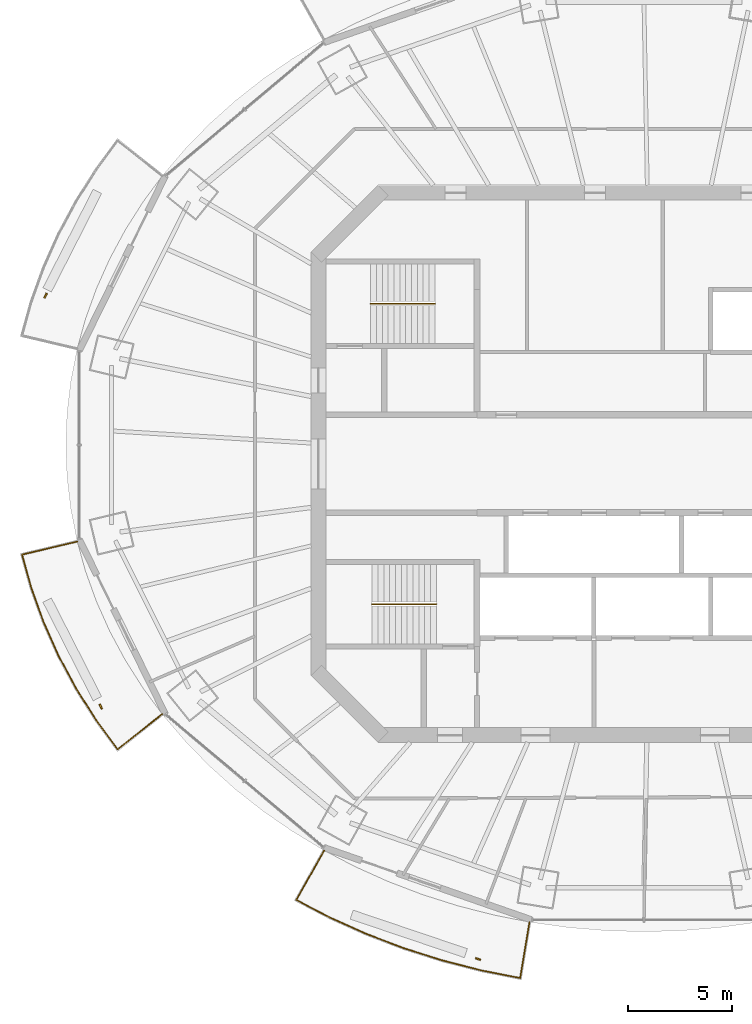
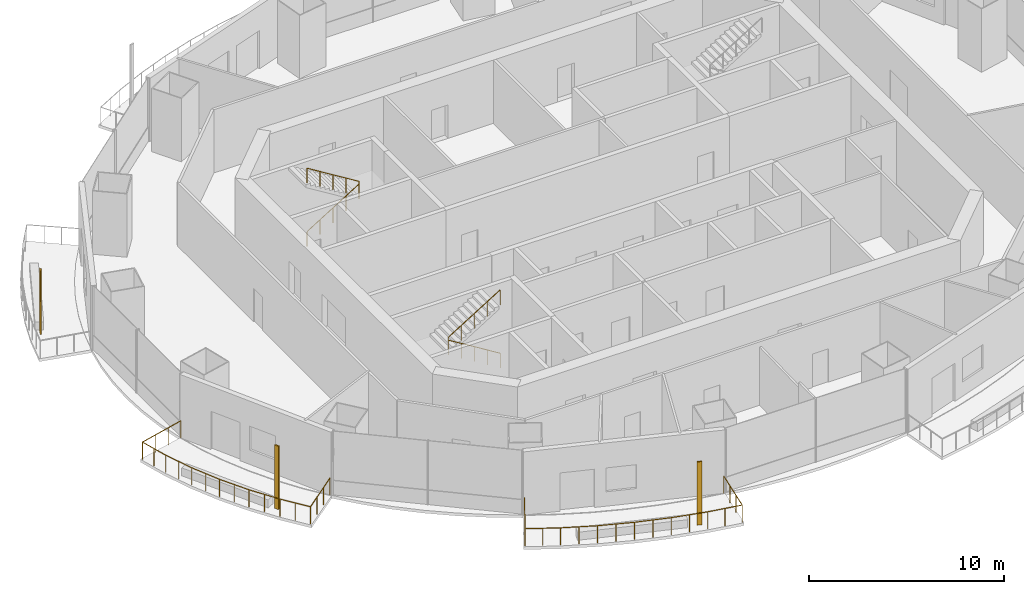
# One storey, part 12 of 16: 4 railings, 3 shading devices.
"""IFC4 building model written with IfcOpenShell, lengths in metres."""

from ifc_helpers import new_model, si_unit, direction, frame, origin, origin_2d, place, context, subcontext, project, spatial, rectangle, circle, extrude, material, material_profile, profile_set, type_object, element, save


model = new_model("IFC4")

# Units and contexts
model_context = context("Model", 3, precision=1e-05, world=origin(), true_north=direction((0.0, 1.0)))
body_context = subcontext(model_context, "Body", "Model", "MODEL_VIEW")
ifc_project = project(units=[si_unit("LENGTHUNIT", "METRE"), si_unit("AREAUNIT", "SQUARE_METRE"), si_unit("VOLUMEUNIT", "CUBIC_METRE"), si_unit("PLANEANGLEUNIT", "RADIAN"), si_unit("MASSUNIT", "GRAM", prefix="KILO")], contexts=[model_context])

# Site, building, storey
site_placement = place(None, origin())
site = spatial("IfcSite", under=ifc_project, at=site_placement, CompositionType="ELEMENT")
building_placement = place(site_placement, origin())
building = spatial("IfcBuilding", under=site, at=building_placement, Name="Marenthal Gate Tower", CompositionType="ELEMENT")
storey_placement = place(building_placement, frame((0.0, 0.0, 326.0)))
storey = spatial("IfcBuildingStorey", under=building, at=storey_placement, Name="L73", CompositionType="ELEMENT", Elevation=326.0)

# Railings
ifc_material_1 = material(Name="Stainless steel", Category="steel")
railing_type_1 = type_object("IfcRailingType", Name="Balcony guard 1100", PredefinedType="GUARDRAIL", material=ifc_material_1)
railing_1_placement = place(storey_placement, frame((-23.491455078125, -11.9970703125, 0.0)))
element("IfcRailing", 1, at=railing_1_placement, inside=storey, type_object=railing_type_1, Name="Balcony guard L73 bay 9", PredefinedType="GUARDRAIL", context=body_context, shape_type="SweptSolid", body=[
    extrude(circle(Radius=0.02392578125, at=origin_2d()), frame((0.0, 0.0, 1.076171875), z_axis=(-0.783447468662, -0.621283714267, -0.014717684406), x_axis=(0.621351013405, -0.783532333819, 0.0)), (0.0, 0.0, 1.0), 2.720458984375),
    extrude(circle(Radius=0.02392578125, at=origin_2d()), frame((-2.13134765625, -1.690185546875, 1.0361328125), z_axis=(-0.592690943458, 0.805429975568, 0.0), x_axis=(-0.805429975568, -0.592690943458, 0.0)), (0.0, 0.0, 1.0), 1.721435546875),
    extrude(circle(Radius=0.02392578125, at=origin_2d()), frame((-3.151611328125, -0.3037109375, 1.0361328125), z_axis=(-0.536035938593, 0.844195162588, 0.0), x_axis=(-0.844195162588, -0.536035938593, 0.0)), (0.0, 0.0, 1.0), 1.7880859375),
    extrude(circle(Radius=0.02392578125, at=origin_2d()), frame((-4.110107421875, 1.205810546875, 1.0361328125), z_axis=(-0.473944120716, 0.880554921875, 0.0), x_axis=(-0.880554921875, -0.473944120716, 0.0)), (0.0, 0.0, 1.0), 1.776611328125),
    extrude(circle(Radius=0.02392578125, at=origin_2d()), frame((-4.9521484375, 2.770263671875, 1.0361328125), z_axis=(-0.408087166089, 0.912942969124, 0.0), x_axis=(-0.912942969124, -0.408087166089, 0.0)), (0.0, 0.0, 1.0), 1.76611328125),
    extrude(circle(Radius=0.02392578125, at=origin_2d()), frame((-5.6728515625, 4.382568359375, 1.0361328125), z_axis=(-0.338940900894, 0.940807666689, 0.0), x_axis=(-0.940807666689, -0.338940900894, 0.0)), (0.0, 0.0, 1.0), 1.7568359375),
    extrude(circle(Radius=0.02392578125, at=origin_2d()), frame((-6.268310546875, 6.035400390625, 1.0361328125), z_axis=(-0.268631744924, 0.96324295254, 0.0), x_axis=(-0.96324295254, -0.268631744924, 0.0)), (0.0, 0.0, 1.0), 1.66943359375),
    extrude(circle(Radius=0.02392578125, at=origin_2d()), frame((-6.716796875, 7.6435546875, 1.0361328125), z_axis=(0.97315730439, 0.229669790827, 0.014718970573), x_axis=(-0.229694673631, 0.973262737859, 0.0)), (0.0, 0.0, 1.0), 2.72021484375),
    extrude(circle(Radius=0.02099609375, at=origin_2d()), origin(), (0.0, 0.0, 1.0), 1.052001953125),
    extrude(circle(Radius=0.02099609375, at=origin_2d()), frame((-0.71044921875, -0.5634765625, -0.013427734375)), (0.0, 0.0, 1.0), 1.052001953125),
    extrude(circle(Radius=0.02099609375, at=origin_2d()), frame((-1.4208984375, -1.126708984375, -0.026611328125)), (0.0, 0.0, 1.0), 1.052001953125),
    extrude(circle(Radius=0.02099609375, at=origin_2d()), frame((-2.13134765625, -1.690185546875, -0.0400390625)), (0.0, 0.0, 1.0), 1.052001953125),
    extrude(circle(Radius=0.02099609375, at=origin_2d()), frame((-2.6416015625, -0.9970703125, -0.0400390625)), (0.0, 0.0, 1.0), 1.052001953125),
    extrude(circle(Radius=0.02099609375, at=origin_2d()), frame((-3.151611328125, -0.3037109375, -0.0400390625)), (0.0, 0.0, 1.0), 1.052001953125),
    extrude(circle(Radius=0.02099609375, at=origin_2d()), frame((-3.630859375, 0.451171875, -0.0400390625)), (0.0, 0.0, 1.0), 1.052001953125),
    extrude(circle(Radius=0.02099609375, at=origin_2d()), frame((-4.110107421875, 1.205810546875, -0.0400390625)), (0.0, 0.0, 1.0), 1.052001953125),
    extrude(circle(Radius=0.02099609375, at=origin_2d()), frame((-4.53125, 1.988037109375, -0.0400390625)), (0.0, 0.0, 1.0), 1.052001953125),
    extrude(circle(Radius=0.02099609375, at=origin_2d()), frame((-4.9521484375, 2.770263671875, -0.0400390625)), (0.0, 0.0, 1.0), 1.052001953125),
    extrude(circle(Radius=0.02099609375, at=origin_2d()), frame((-5.3125, 3.576416015625, -0.0400390625)), (0.0, 0.0, 1.0), 1.052001953125),
    extrude(circle(Radius=0.02099609375, at=origin_2d()), frame((-5.6728515625, 4.382568359375, -0.0400390625)), (0.0, 0.0, 1.0), 1.052001953125),
    extrude(circle(Radius=0.02099609375, at=origin_2d()), frame((-5.970703125, 5.208984375, -0.0400390625)), (0.0, 0.0, 1.0), 1.052001953125),
    extrude(circle(Radius=0.02099609375, at=origin_2d()), frame((-6.268310546875, 6.035400390625, -0.0400390625)), (0.0, 0.0, 1.0), 1.052001953125),
    extrude(circle(Radius=0.02099609375, at=origin_2d()), frame((-6.49267578125, 6.83935546875, -0.0400390625)), (0.0, 0.0, 1.0), 1.052001953125),
    extrude(circle(Radius=0.02099609375, at=origin_2d()), frame((-6.716796875, 7.6435546875, -0.0400390625)), (0.0, 0.0, 1.0), 1.052001953125),
    extrude(circle(Radius=0.02099609375, at=origin_2d()), frame((-5.83447265625, 7.851806640625, -0.026611328125)), (0.0, 0.0, 1.0), 1.052001953125),
    extrude(circle(Radius=0.02099609375, at=origin_2d()), frame((-4.951904296875, 8.06005859375, -0.013427734375)), (0.0, 0.0, 1.0), 1.052001953125),
    extrude(circle(Radius=0.02099609375, at=origin_2d()), frame((-4.069580078125, 8.268310546875, 0.0)), (0.0, 0.0, 1.0), 1.052001953125),
])
railing_2_placement = place(storey_placement, frame((-5.88525390625, -21.965576171875, 0.0)))
element("IfcRailing", 2, at=railing_2_placement, inside=storey, type_object=railing_type_1, Name="Balcony guard L73 bay 11", PredefinedType="GUARDRAIL", context=body_context, shape_type="SweptSolid", body=[
    extrude(circle(Radius=0.02392578125, at=origin_2d()), frame((0.0, 0.0, 1.076171875), z_axis=(-0.165225230724, -0.986146026723, -0.014718597414), x_axis=(0.986252861995, -0.165243130591, 0.0)), (0.0, 0.0, 1.0), 2.72021484375),
    extrude(circle(Radius=0.02392578125, at=origin_2d()), frame((-0.449462890625, -2.6826171875, 1.0361328125), z_axis=(-0.981044354343, 0.193783319228, 0.0), x_axis=(-0.193783319228, -0.981044354343, 0.0)), (0.0, 0.0, 1.0), 1.8720703125),
    extrude(circle(Radius=0.02392578125, at=origin_2d()), frame((-2.2861328125, -2.31982421875, 1.0361328125), z_axis=(-0.968904264382, 0.247435903744, 0.0), x_axis=(-0.247435903744, -0.968904264382, 0.0)), (0.0, 0.0, 1.0), 1.94482421875),
    extrude(circle(Radius=0.02392578125, at=origin_2d()), frame((-4.17041015625, -1.838623046875, 1.0361328125), z_axis=(-0.953294423238, 0.302042617232, 0.0), x_axis=(-0.302042617232, -0.953294423238, 0.0)), (0.0, 0.0, 1.0), 1.935791015625),
    extrude(circle(Radius=0.02392578125, at=origin_2d()), frame((-6.015869140625, -1.25390625, 1.0361328125), z_axis=(-0.934345067438, 0.356369604419, 0.0), x_axis=(-0.356369604419, -0.934345067438, 0.0)), (0.0, 0.0, 1.0), 1.92578125),
    extrude(circle(Radius=0.02392578125, at=origin_2d()), frame((-7.815185546875, -0.567626953125, 1.0361328125), z_axis=(-0.911923891931, 0.410359373387, 0.0), x_axis=(-0.410359373387, -0.911923891931, 0.0)), (0.0, 0.0, 1.0), 1.913818359375),
    extrude(circle(Radius=0.02392578125, at=origin_2d()), frame((-9.560546875, 0.2177734375, 1.0361328125), z_axis=(-0.886546608419, 0.462639288324, 0.0), x_axis=(-0.462639288324, -0.886546608419, 0.0)), (0.0, 0.0, 1.0), 1.82177734375),
    extrude(circle(Radius=0.02392578125, at=origin_2d()), frame((-11.175537109375, 1.060546875, 1.0361328125), z_axis=(0.490566018996, 0.871279713211, 0.014718775543), x_axis=(-0.871374106592, 0.49061916632, 0.0)), (0.0, 0.0, 1.0), 2.72021484375),
    extrude(circle(Radius=0.02099609375, at=origin_2d()), origin(), (0.0, 0.0, 1.0), 1.052001953125),
    extrude(circle(Radius=0.02099609375, at=origin_2d()), frame((-0.14990234375, -0.894287109375, -0.013427734375)), (0.0, 0.0, 1.0), 1.052001953125),
    extrude(circle(Radius=0.02099609375, at=origin_2d()), frame((-0.299560546875, -1.788330078125, -0.026611328125)), (0.0, 0.0, 1.0), 1.052001953125),
    extrude(circle(Radius=0.02099609375, at=origin_2d()), frame((-0.449462890625, -2.6826171875, -0.0400390625)), (0.0, 0.0, 1.0), 1.052001953125),
    extrude(circle(Radius=0.02099609375, at=origin_2d()), frame((-1.36767578125, -2.501220703125, -0.0400390625)), (0.0, 0.0, 1.0), 1.052001953125),
    extrude(circle(Radius=0.02099609375, at=origin_2d()), frame((-2.2861328125, -2.31982421875, -0.0400390625)), (0.0, 0.0, 1.0), 1.052001953125),
    extrude(circle(Radius=0.02099609375, at=origin_2d()), frame((-3.228271484375, -2.0791015625, -0.0400390625)), (0.0, 0.0, 1.0), 1.052001953125),
    extrude(circle(Radius=0.02099609375, at=origin_2d()), frame((-4.17041015625, -1.838623046875, -0.0400390625)), (0.0, 0.0, 1.0), 1.052001953125),
    extrude(circle(Radius=0.02099609375, at=origin_2d()), frame((-5.09326171875, -1.54638671875, -0.0400390625)), (0.0, 0.0, 1.0), 1.052001953125),
    extrude(circle(Radius=0.02099609375, at=origin_2d()), frame((-6.015869140625, -1.25390625, -0.0400390625)), (0.0, 0.0, 1.0), 1.052001953125),
    extrude(circle(Radius=0.02099609375, at=origin_2d()), frame((-6.91552734375, -0.91064453125, -0.0400390625)), (0.0, 0.0, 1.0), 1.052001953125),
    extrude(circle(Radius=0.02099609375, at=origin_2d()), frame((-7.815185546875, -0.567626953125, -0.0400390625)), (0.0, 0.0, 1.0), 1.052001953125),
    extrude(circle(Radius=0.02099609375, at=origin_2d()), frame((-8.68798828125, -0.1748046875, -0.0400390625)), (0.0, 0.0, 1.0), 1.052001953125),
    extrude(circle(Radius=0.02099609375, at=origin_2d()), frame((-9.560546875, 0.2177734375, -0.0400390625)), (0.0, 0.0, 1.0), 1.052001953125),
    extrude(circle(Radius=0.02099609375, at=origin_2d()), frame((-10.3681640625, 0.63916015625, -0.0400390625)), (0.0, 0.0, 1.0), 1.052001953125),
    extrude(circle(Radius=0.02099609375, at=origin_2d()), frame((-11.175537109375, 1.060546875, -0.0400390625)), (0.0, 0.0, 1.0), 1.052001953125),
    extrude(circle(Radius=0.02099609375, at=origin_2d()), frame((-10.730712890625, 1.8505859375, -0.026611328125)), (0.0, 0.0, 1.0), 1.052001953125),
    extrude(circle(Radius=0.02099609375, at=origin_2d()), frame((-10.285888671875, 2.640625, -0.013427734375)), (0.0, 0.0, 1.0), 1.052001953125),
    extrude(circle(Radius=0.02099609375, at=origin_2d()), frame((-9.841064453125, 3.4306640625, 0.0)), (0.0, 0.0, 1.0), 1.052001953125),
])
ifc_material_2 = material(Name="Stainless steel", Category="steel")
railing_type_2 = type_object("IfcRailingType", Name="Stair handrail", PredefinedType="HANDRAIL", material=ifc_material_2)
railing_3_placement = place(storey_placement, frame((-13.5, 7.675048828125, 0.1728515625)))
element("IfcRailing", 3, at=railing_3_placement, inside=storey, type_object=railing_type_2, Name="Handrail ST1", PredefinedType="HANDRAIL", context=body_context, shape_type="SweptSolid", body=[
    extrude(circle(Radius=0.0224609375, at=origin_2d()), frame((0.0, 0.0, 0.927490234375), z_axis=(0.850835241893, 0.0, 0.525432575268), x_axis=(0.0, 1.0, 0.0)), (0.0, 0.0, 1.0), 3.6201171875),
    extrude(circle(Radius=0.0224609375, at=origin_2d()), frame((3.080078125, 0.0, 2.82958984375), z_axis=(0.0, 0.0, 1.0), x_axis=(1.0, 0.0, 0.0)), (0.0, 0.0, 1.0), 0.1728515625),
    extrude(circle(Radius=0.0224609375, at=origin_2d()), frame((3.080078125, 0.0, 3.00244140625), z_axis=(-0.850835241893, 0.0, 0.525432575268), x_axis=(0.0, -1.0, 0.0)), (0.0, 0.0, 1.0), 3.6201171875),
    extrude(circle(Radius=0.02001953125, at=origin_2d()), origin(), (0.0, 0.0, 1.0), 0.905029296875),
    extrude(circle(Radius=0.02001953125, at=origin_2d()), frame((0.77001953125, 0.0, 0.4755859375)), (0.0, 0.0, 1.0), 0.905029296875),
    extrude(circle(Radius=0.02001953125, at=origin_2d()), frame((1.5400390625, 0.0, 0.951171875)), (0.0, 0.0, 1.0), 0.905029296875),
    extrude(circle(Radius=0.02001953125, at=origin_2d()), frame((2.31005859375, 0.0, 1.426513671875)), (0.0, 0.0, 1.0), 0.905029296875),
    extrude(circle(Radius=0.02001953125, at=origin_2d()), frame((3.080078125, 0.0, 1.902099609375)), (0.0, 0.0, 1.0), 0.905029296875),
    extrude(circle(Radius=0.02001953125, at=origin_2d()), frame((3.080078125, 0.0, 2.074951171875)), (0.0, 0.0, 1.0), 0.905029296875),
    extrude(circle(Radius=0.02001953125, at=origin_2d()), frame((2.31005859375, 0.0, 2.550537109375)), (0.0, 0.0, 1.0), 0.905029296875),
    extrude(circle(Radius=0.02001953125, at=origin_2d()), frame((1.5400390625, 0.0, 3.02587890625)), (0.0, 0.0, 1.0), 0.905029296875),
    extrude(circle(Radius=0.02001953125, at=origin_2d()), frame((0.77001953125, 0.0, 3.50146484375)), (0.0, 0.0, 1.0), 0.905029296875),
    extrude(circle(Radius=0.02001953125, at=origin_2d()), frame((0.0, 0.0, 3.97705078125)), (0.0, 0.0, 1.0), 0.905029296875),
])
railing_4_placement = place(storey_placement, frame((-10.35009765625, -6.72509765625, 0.1728515625)))
element("IfcRailing", 4, at=railing_4_placement, inside=storey, type_object=railing_type_2, Name="Handrail ST2", PredefinedType="HANDRAIL", context=body_context, shape_type="SweptSolid", body=[
    extrude(circle(Radius=0.0224609375, at=origin_2d()), frame((0.0, 0.0, 0.927490234375), z_axis=(-0.850816621229, 0.0, 0.525462726595), x_axis=(0.0, -1.0, 0.0)), (0.0, 0.0, 1.0), 3.619873046875),
    extrude(circle(Radius=0.0224609375, at=origin_2d()), frame((-3.079833984375, 0.0, 2.82958984375), z_axis=(0.0, 0.0, 1.0), x_axis=(1.0, 0.0, 0.0)), (0.0, 0.0, 1.0), 0.1728515625),
    extrude(circle(Radius=0.0224609375, at=origin_2d()), frame((-3.079833984375, 0.0, 3.00244140625), z_axis=(0.850816621229, 0.0, 0.525462726595), x_axis=(0.0, 1.0, 0.0)), (0.0, 0.0, 1.0), 3.619873046875),
    extrude(circle(Radius=0.02001953125, at=origin_2d()), origin(), (0.0, 0.0, 1.0), 0.905029296875),
    extrude(circle(Radius=0.02001953125, at=origin_2d()), frame((-0.77001953125, 0.0, 0.4755859375)), (0.0, 0.0, 1.0), 0.905029296875),
    extrude(circle(Radius=0.02001953125, at=origin_2d()), frame((-1.5400390625, 0.0, 0.951171875)), (0.0, 0.0, 1.0), 0.905029296875),
    extrude(circle(Radius=0.02001953125, at=origin_2d()), frame((-2.309814453125, 0.0, 1.426513671875)), (0.0, 0.0, 1.0), 0.905029296875),
    extrude(circle(Radius=0.02001953125, at=origin_2d()), frame((-3.079833984375, 0.0, 1.902099609375)), (0.0, 0.0, 1.0), 0.905029296875),
    extrude(circle(Radius=0.02001953125, at=origin_2d()), frame((-3.079833984375, 0.0, 2.074951171875)), (0.0, 0.0, 1.0), 0.905029296875),
    extrude(circle(Radius=0.02001953125, at=origin_2d()), frame((-2.309814453125, 0.0, 2.550537109375)), (0.0, 0.0, 1.0), 0.905029296875),
    extrude(circle(Radius=0.02001953125, at=origin_2d()), frame((-1.5400390625, 0.0, 3.02587890625)), (0.0, 0.0, 1.0), 0.905029296875),
    extrude(circle(Radius=0.02001953125, at=origin_2d()), frame((-0.77001953125, 0.0, 3.50146484375)), (0.0, 0.0, 1.0), 0.905029296875),
    extrude(circle(Radius=0.02001953125, at=origin_2d()), frame((0.0, 0.0, 3.97705078125)), (0.0, 0.0, 1.0), 0.905029296875),
])

# Shading devices
ifc_material_3 = material(Name="Terracotta", Category="masonry")
ifc_material_profile = material_profile(ifc_material_3, rectangle(XDim=0.25, YDim=0.080078125, at=origin_2d()), Name="Terracotta baguette 250x80")
ifc_profile_set = profile_set([ifc_material_profile], Name="Terracotta")
shading_device_type = type_object("IfcShadingDeviceType", Name="Terracotta BAGUETTE SCREEN 250x80", PredefinedType="USERDEFINED", material=ifc_profile_set)
for number, where, z_axis, x_axis, name in (
    (5, (-29.077880859375, 8.063232421875, -0.0400390625), (0.0, 0.0, 1.0), (-0.441395261574, -0.897312778834, 0.0), "Terracotta BAGUETTE L73 bay 7R"),
    (6, (-26.43359375, -11.638916015625, -0.0400390625), (0.0, 0.0, 1.0), (0.441395261574, -0.897312778834, 0.0), "Terracotta BAGUETTE L73 bay 9R"),
    (7, (-8.350341796875, -23.733154296875, -0.0400390625), (0.0, 0.0, 1.0), (0.944213856974, -0.329332950521, 0.0), "Terracotta BAGUETTE L73 bay 11R"),
):
    element("IfcShadingDevice", number, at=place(storey_placement, frame(where, z_axis=z_axis, x_axis=x_axis)), inside=storey, type_object=shading_device_type, Name=name, ObjectType="BAGUETTE SCREEN", PredefinedType="USERDEFINED", context=body_context, shape_type="SweptSolid", body=[
        extrude(rectangle(XDim=0.25, YDim=0.080078125, at=origin_2d()), origin(), (0.0, 0.0, 1.0), 3.969970703125),
    ])

save(model, "model.ifc")
